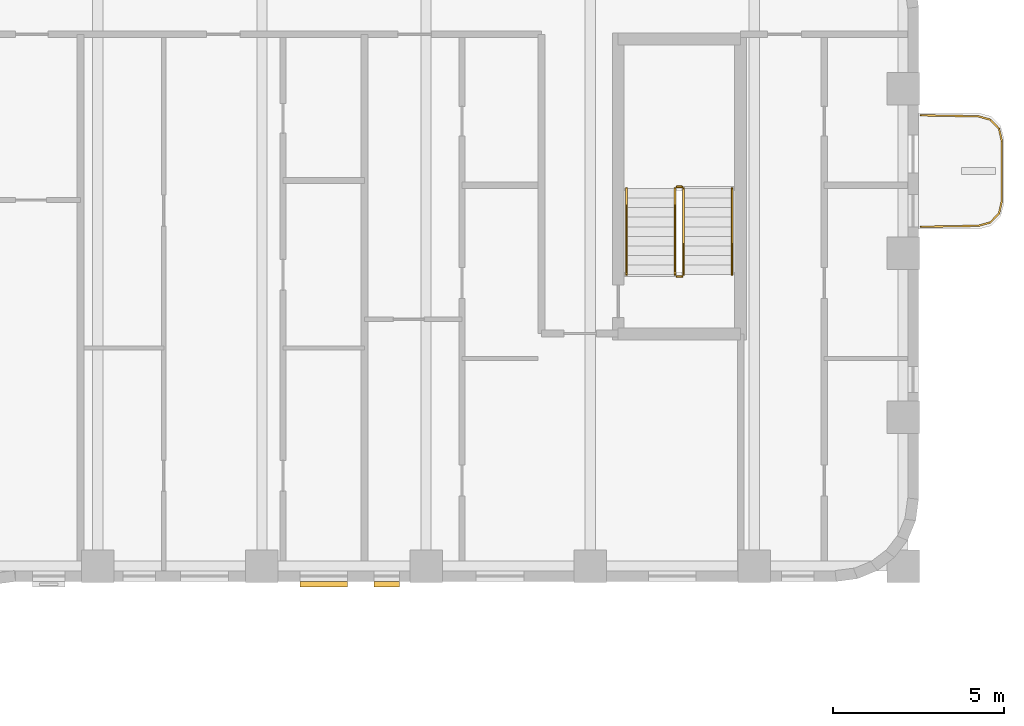
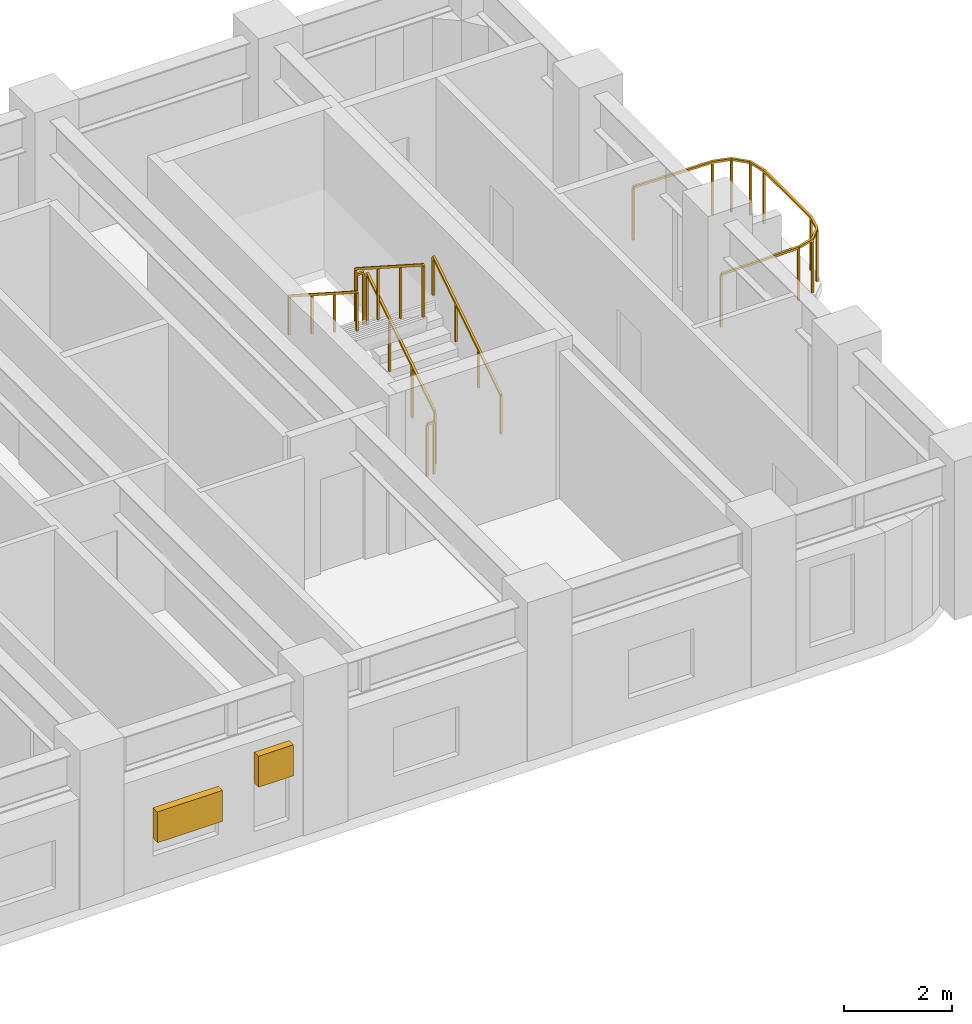
# One storey, part 9 of 10: 7 railings, 2 shading devices.
"""IFC4 building model written with IfcOpenShell, lengths in metres."""

from ifc_helpers import new_model, si_unit, direction, frame, origin, origin_2d, place, context, subcontext, project, spatial, rectangle, extrude, material, type_object, element, save


model = new_model("IFC4")

# Units and contexts
model_context = context("Model", 3, precision=1e-05, world=origin(), true_north=direction((0.0, 1.0)))
body_context = subcontext(model_context, "Body", "Model", "MODEL_VIEW")
ifc_project = project(units=[si_unit("LENGTHUNIT", "METRE"), si_unit("AREAUNIT", "SQUARE_METRE"), si_unit("VOLUMEUNIT", "CUBIC_METRE"), si_unit("PLANEANGLEUNIT", "RADIAN"), si_unit("MASSUNIT", "GRAM", prefix="KILO")], contexts=[model_context])

# Site, building, storey
site_placement = place(None, origin())
site = spatial("IfcSite", under=ifc_project, at=site_placement, CompositionType="ELEMENT")
building_placement = place(site_placement, origin())
building = spatial("IfcBuilding", under=site, at=building_placement, Name="Orvandelia Arch Residences", CompositionType="ELEMENT")
storey_placement = place(building_placement, frame((0.0, 0.0, 150.39990234375)))
storey = spatial("IfcBuildingStorey", under=building, at=storey_placement, Name="L39", CompositionType="ELEMENT", Elevation=150.39990234375)

# Railings
ifc_material_1 = material(Name="Marine-Grade Stainless Steel 316", Category="steel")
railing_type_1 = type_object("IfcRailingType", Name="GRD-BAL-1200", PredefinedType="BALUSTRADE", material=ifc_material_1)
railing_1_placement = place(storey_placement, frame((52.871826171875, 39.169677734375, 0.0)))
element("IfcRailing", 1, at=railing_1_placement, inside=storey, type_object=railing_type_1, Name="Safety Balustrade Guard GRD-L39-BAL-L39-E1-1", PredefinedType="BALUSTRADE", context=body_context, shape_type="SweptSolid", body=[
    extrude(rectangle(XDim=0.048095703125, YDim=0.048095703125, at=origin_2d()), frame((0.0, 0.0, 1.19580078125), z_axis=(0.999837384468, 0.018033430643, 0.0), x_axis=(-0.018033430643, 0.999837384468, 0.0)), (0.0, 0.0, 1.0), 1.6787109375),
    extrude(rectangle(XDim=0.048095703125, YDim=0.048095703125, at=origin_2d()), frame((1.678466796875, 0.0302734375, 1.19580078125), z_axis=(0.96348920644, 0.267747173792, 0.0), x_axis=(-0.267747173792, 0.96348920644, 0.0)), (0.0, 0.0, 1.0), 0.36572265625),
    extrude(rectangle(XDim=0.048095703125, YDim=0.048095703125, at=origin_2d()), frame((2.03076171875, 0.128173828125, 1.19580078125), z_axis=(0.687947031175, 0.725760898848, 0.0), x_axis=(-0.725760898848, 0.687947031175, 0.0)), (0.0, 0.0, 1.0), 0.367919921875),
    extrude(rectangle(XDim=0.048095703125, YDim=0.048095703125, at=origin_2d()), frame((2.283935546875, 0.395263671875, 1.19580078125), z_axis=(0.221225034864, 0.975222786828, 0.0), x_axis=(-0.975222786828, 0.221225034864, 0.0)), (0.0, 0.0, 1.0), 0.373046875),
    extrude(rectangle(XDim=0.048095703125, YDim=0.048095703125, at=origin_2d()), frame((2.366455078125, 0.759033203125, 1.19580078125), z_axis=(0.0, 1.0, 0.0), x_axis=(-1.0, 0.0, 0.0)), (0.0, 0.0, 1.0), 1.74267578125),
    extrude(rectangle(XDim=0.048095703125, YDim=0.048095703125, at=origin_2d()), frame((2.366455078125, 2.501708984375, 1.19580078125), z_axis=(-0.221225034864, 0.975222786828, 0.0), x_axis=(-0.975222786828, -0.221225034864, 0.0)), (0.0, 0.0, 1.0), 0.373046875),
    extrude(rectangle(XDim=0.048095703125, YDim=0.048095703125, at=origin_2d()), frame((2.283935546875, 2.865478515625, 1.19580078125), z_axis=(-0.688278345278, 0.725446703364, 0.0), x_axis=(-0.725446703364, -0.688278345278, 0.0)), (0.0, 0.0, 1.0), 0.367919921875),
    extrude(rectangle(XDim=0.048095703125, YDim=0.048095703125, at=origin_2d()), frame((2.03076171875, 3.13232421875, 1.19580078125), z_axis=(-0.96348920644, 0.267747173792, 0.0), x_axis=(-0.267747173792, -0.96348920644, 0.0)), (0.0, 0.0, 1.0), 0.36572265625),
    extrude(rectangle(XDim=0.048095703125, YDim=0.048095703125, at=origin_2d()), frame((1.678466796875, 3.230224609375, 1.19580078125), z_axis=(-0.999834751713, 0.018178813668, 0.0), x_axis=(-0.018178813668, -0.999834751713, 0.0)), (0.0, 0.0, 1.0), 1.6787109375),
    extrude(rectangle(XDim=0.0419921875, YDim=0.0419921875, at=origin_2d()), origin(), (0.0, 0.0, 1.0), 1.171875),
    extrude(rectangle(XDim=0.0419921875, YDim=0.0419921875, at=origin_2d()), frame((1.678466796875, 0.0302734375, 0.0)), (0.0, 0.0, 1.0), 1.171875),
    extrude(rectangle(XDim=0.0419921875, YDim=0.0419921875, at=origin_2d()), frame((2.03076171875, 0.128173828125, 0.0)), (0.0, 0.0, 1.0), 1.171875),
    extrude(rectangle(XDim=0.0419921875, YDim=0.0419921875, at=origin_2d()), frame((2.283935546875, 0.395263671875, 0.0)), (0.0, 0.0, 1.0), 1.171875),
    extrude(rectangle(XDim=0.0419921875, YDim=0.0419921875, at=origin_2d()), frame((2.366455078125, 0.759033203125, 0.0)), (0.0, 0.0, 1.0), 1.171875),
    extrude(rectangle(XDim=0.0419921875, YDim=0.0419921875, at=origin_2d()), frame((2.366455078125, 2.501708984375, 0.0)), (0.0, 0.0, 1.0), 1.171875),
    extrude(rectangle(XDim=0.0419921875, YDim=0.0419921875, at=origin_2d()), frame((2.283935546875, 2.865478515625, 0.0)), (0.0, 0.0, 1.0), 1.171875),
    extrude(rectangle(XDim=0.0419921875, YDim=0.0419921875, at=origin_2d()), frame((2.03076171875, 3.13232421875, 0.0)), (0.0, 0.0, 1.0), 1.171875),
    extrude(rectangle(XDim=0.0419921875, YDim=0.0419921875, at=origin_2d()), frame((1.678466796875, 3.230224609375, 0.0)), (0.0, 0.0, 1.0), 1.171875),
    extrude(rectangle(XDim=0.0419921875, YDim=0.0419921875, at=origin_2d()), frame((0.0, 3.2607421875, 0.0)), (0.0, 0.0, 1.0), 1.171875),
])
ifc_material_2 = material(Name="Brushed Stainless Steel 304", Category="steel")
railing_type_2 = type_object("IfcRailingType", Name="RL-STAIR-GD1120", PredefinedType="GUARDRAIL", material=ifc_material_2)
railing_2_placement = place(storey_placement, frame((45.929931640625, 37.77001953125, 0.18017578125)))
element("IfcRailing", 2, at=railing_2_placement, inside=storey, type_object=railing_type_2, Name="L39 ST-3 stair guard 1", PredefinedType="GUARDRAIL", context=body_context, shape_type="SweptSolid", body=[
    extrude(rectangle(XDim=0.048095703125, YDim=0.048095703125, at=origin_2d()), frame((0.0, 0.0, 1.17578125), z_axis=(0.0, 0.841199657755, 0.540724639528), x_axis=(-1.0, 0.0, 0.0)), (0.0, 0.0, 1.0), 2.995849609375),
    extrude(rectangle(XDim=0.0419921875, YDim=0.0419921875, at=origin_2d()), origin(), (0.0, 0.0, 1.0), 1.15185546875),
    extrude(rectangle(XDim=0.0419921875, YDim=0.0419921875, at=origin_2d()), frame((0.0, 0.840087890625, 0.5400390625)), (0.0, 0.0, 1.0), 1.15185546875),
    extrude(rectangle(XDim=0.0419921875, YDim=0.0419921875, at=origin_2d()), frame((0.0, 1.679931640625, 1.079833984375)), (0.0, 0.0, 1.0), 1.15185546875),
    extrude(rectangle(XDim=0.0419921875, YDim=0.0419921875, at=origin_2d()), frame((0.0, 2.52001953125, 1.619873046875)), (0.0, 0.0, 1.0), 1.15185546875),
])
railing_3_placement = place(storey_placement, frame((45.8798828125, 40.340087890625, 1.800048828125)))
element("IfcRailing", 3, at=railing_3_placement, inside=storey, type_object=railing_type_2, Name="L39 ST-3 stair guard 2", PredefinedType="GUARDRAIL", context=body_context, shape_type="SweptSolid", body=[
    extrude(rectangle(XDim=0.048095703125, YDim=0.048095703125, at=origin_2d()), frame((0.0, 0.0, 1.17578125), z_axis=(-1.0, 0.0, 0.0), x_axis=(0.0, -1.0, 0.0)), (0.0, 0.0, 1.0), 0.14990234375),
    extrude(rectangle(XDim=0.0419921875, YDim=0.0419921875, at=origin_2d()), origin(), (0.0, 0.0, 1.0), 1.15185546875),
    extrude(rectangle(XDim=0.0419921875, YDim=0.0419921875, at=origin_2d()), frame((-0.14990234375, 0.0, 0.0)), (0.0, 0.0, 1.0), 1.15185546875),
])
railing_4_placement = place(storey_placement, frame((45.679931640625, 40.2900390625, 1.97998046875)))
element("IfcRailing", 4, at=railing_4_placement, inside=storey, type_object=railing_type_2, Name="L39 ST-3 stair guard 3", PredefinedType="GUARDRAIL", context=body_context, shape_type="SweptSolid", body=[
    extrude(rectangle(XDim=0.048095703125, YDim=0.048095703125, at=origin_2d()), frame((0.0, 0.0, 1.17578125), z_axis=(0.0, -0.841162588446, 0.540782303519), x_axis=(1.0, 0.0, 0.0)), (0.0, 0.0, 1.0), 2.995849609375),
    extrude(rectangle(XDim=0.0419921875, YDim=0.0419921875, at=origin_2d()), origin(), (0.0, 0.0, 1.0), 1.15185546875),
    extrude(rectangle(XDim=0.0419921875, YDim=0.0419921875, at=origin_2d()), frame((0.0, -0.840087890625, 0.5400390625)), (0.0, 0.0, 1.0), 1.15185546875),
    extrude(rectangle(XDim=0.0419921875, YDim=0.0419921875, at=origin_2d()), frame((0.0, -1.679931640625, 1.080078125)), (0.0, 0.0, 1.0), 1.15185546875),
    extrude(rectangle(XDim=0.0419921875, YDim=0.0419921875, at=origin_2d()), frame((0.0, -2.52001953125, 1.6201171875)), (0.0, 0.0, 1.0), 1.15185546875),
])
railing_5_placement = place(storey_placement, frame((45.8798828125, 37.719970703125, 0.0)))
element("IfcRailing", 5, at=railing_5_placement, inside=storey, type_object=railing_type_2, Name="L39 ST-3 stair guard 4", PredefinedType="GUARDRAIL", context=body_context, shape_type="SweptSolid", body=[
    extrude(rectangle(XDim=0.048095703125, YDim=0.048095703125, at=origin_2d()), frame((0.0, 0.0, 1.17578125), z_axis=(-1.0, 0.0, 0.0), x_axis=(0.0, -1.0, 0.0)), (0.0, 0.0, 1.0), 0.14990234375),
    extrude(rectangle(XDim=0.0419921875, YDim=0.0419921875, at=origin_2d()), origin(), (0.0, 0.0, 1.0), 1.15185546875),
    extrude(rectangle(XDim=0.0419921875, YDim=0.0419921875, at=origin_2d()), frame((-0.14990234375, 0.0, 0.0)), (0.0, 0.0, 1.0), 1.15185546875),
])
railing_type_3 = type_object("IfcRailingType", Name="RL-STAIR-HR920", PredefinedType="HANDRAIL", material=ifc_material_2)
railing_6_placement = place(storey_placement, frame((47.35009765625, 37.77001953125, 0.360107421875)))
element("IfcRailing", 6, at=railing_6_placement, inside=storey, type_object=railing_type_3, Name="L39 ST-3 stair handrail 1", PredefinedType="HANDRAIL", context=body_context, shape_type="SweptSolid", body=[
    extrude(rectangle(XDim=0.048095703125, YDim=0.048095703125, at=origin_2d()), frame((0.0, 0.0, 0.8759765625), z_axis=(0.0, 0.841199657755, 0.540724639528), x_axis=(-1.0, 0.0, 0.0)), (0.0, 0.0, 1.0), 2.995849609375),
    extrude(rectangle(XDim=0.0419921875, YDim=0.0419921875, at=origin_2d()), origin(), (0.0, 0.0, 1.0), 0.851806640625),
    extrude(rectangle(XDim=0.0419921875, YDim=0.0419921875, at=origin_2d()), frame((0.0, 0.840087890625, 0.5400390625)), (0.0, 0.0, 1.0), 0.851806640625),
    extrude(rectangle(XDim=0.0419921875, YDim=0.0419921875, at=origin_2d()), frame((0.0, 1.679931640625, 1.079833984375)), (0.0, 0.0, 1.0), 0.851806640625),
    extrude(rectangle(XDim=0.0419921875, YDim=0.0419921875, at=origin_2d()), frame((0.0, 2.52001953125, 1.619873046875)), (0.0, 0.0, 1.0), 0.851806640625),
])
railing_7_placement = place(storey_placement, frame((44.260009765625, 40.2900390625, 2.16015625)))
element("IfcRailing", 7, at=railing_7_placement, inside=storey, type_object=railing_type_3, Name="L39 ST-3 stair handrail 2", PredefinedType="HANDRAIL", context=body_context, shape_type="SweptSolid", body=[
    extrude(rectangle(XDim=0.048095703125, YDim=0.048095703125, at=origin_2d()), frame((0.0, 0.0, 0.8759765625), z_axis=(0.0, -0.841199657755, 0.540724639528), x_axis=(1.0, 0.0, 0.0)), (0.0, 0.0, 1.0), 2.995849609375),
    extrude(rectangle(XDim=0.0419921875, YDim=0.0419921875, at=origin_2d()), origin(), (0.0, 0.0, 1.0), 0.851806640625),
    extrude(rectangle(XDim=0.0419921875, YDim=0.0419921875, at=origin_2d()), frame((0.0, -0.840087890625, 0.5400390625)), (0.0, 0.0, 1.0), 0.851806640625),
    extrude(rectangle(XDim=0.0419921875, YDim=0.0419921875, at=origin_2d()), frame((0.0, -1.679931640625, 1.079833984375)), (0.0, 0.0, 1.0), 0.851806640625),
    extrude(rectangle(XDim=0.0419921875, YDim=0.0419921875, at=origin_2d()), frame((0.0, -2.52001953125, 1.619873046875)), (0.0, 0.0, 1.0), 0.851806640625),
])

# Shading devices
ifc_material_3 = material(Name="Anodised Champagne-Bronze Extruded Aluminium", Category="aluminium")
shading_device_type = type_object("IfcShadingDeviceType", Name="SHD-JALOUSIE-SCREEN", PredefinedType="JALOUSIE", material=ifc_material_3)
shading_device_1_placement = place(storey_placement, frame((35.409912109375, 28.719970703125, 1.05029296875), z_axis=(0.0, 0.0, 1.0), x_axis=(-1.0, 0.0, 0.0)))
element("IfcShadingDevice", 8, at=shading_device_1_placement, inside=storey, type_object=shading_device_type, Name="Bronze Jalousie Sun-Shade L39-002", PredefinedType="JALOUSIE", context=body_context, shape_type="SweptSolid", body=[
    extrude(rectangle(XDim=1.39990234375, YDim=0.159912109375, at=origin_2d()), origin(), (0.0, 0.0, 1.0), 0.699951171875),
])
shading_device_2_placement = place(storey_placement, frame((37.25244140625, 28.719970703125, 1.55029296875), z_axis=(0.0, 0.0, 1.0), x_axis=(-1.0, 0.0, 0.0)))
element("IfcShadingDevice", 9, at=shading_device_2_placement, inside=storey, type_object=shading_device_type, Name="Bronze Jalousie Sun-Shade L39-004", PredefinedType="JALOUSIE", context=body_context, shape_type="SweptSolid", body=[
    extrude(rectangle(XDim=0.75, YDim=0.159912109375, at=origin_2d()), origin(), (0.0, 0.0, 1.0), 0.699951171875),
])

save(model, "model.ifc")
